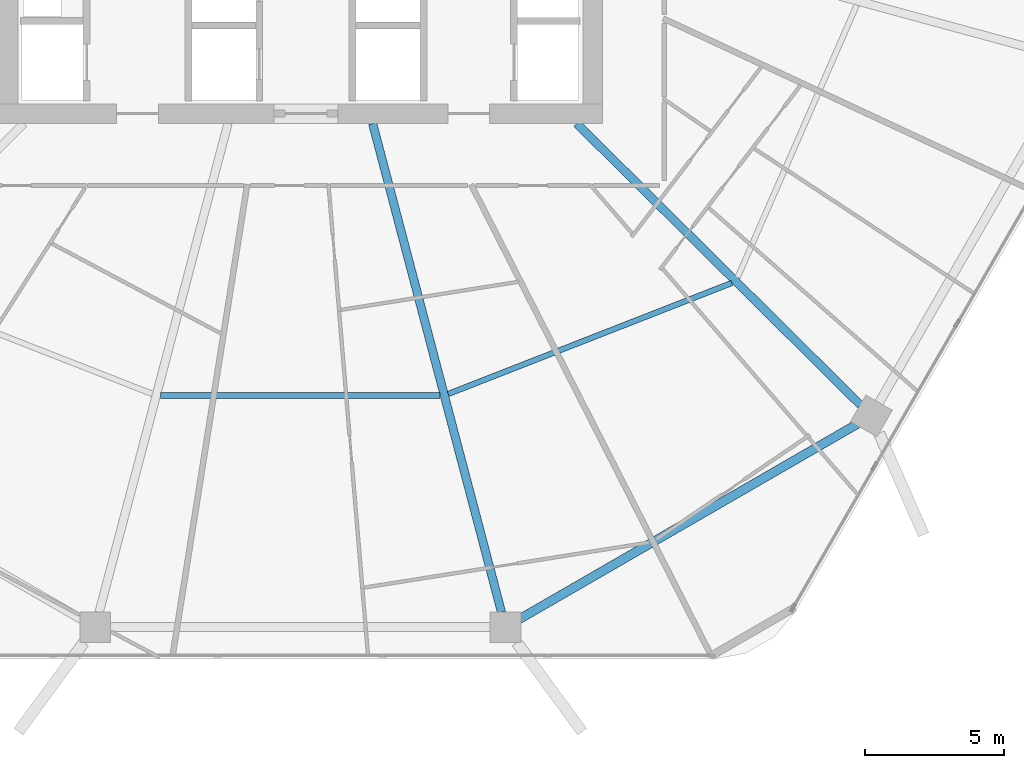
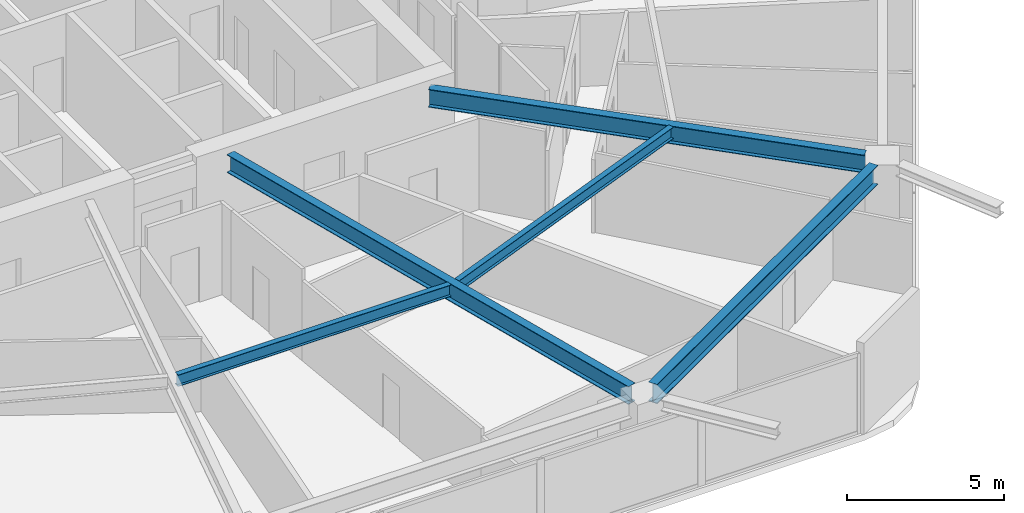
# One storey, part 7 of 29: 5 beams.
"""IFC4 building model written with IfcOpenShell, lengths in metres."""

from ifc_helpers import new_model, si_unit, direction, frame, origin, origin_2d, place, context, subcontext, project, spatial, i_section, extrude, material, material_profile, profile_set, type_object, element, save


model = new_model("IFC4")

# Units and contexts
model_context = context("Model", 3, precision=1e-05, world=origin(), true_north=direction((0.0, 1.0)))
body_context = subcontext(model_context, "Body", "Model", "MODEL_VIEW")
ifc_project = project(units=[si_unit("LENGTHUNIT", "METRE"), si_unit("AREAUNIT", "SQUARE_METRE"), si_unit("VOLUMEUNIT", "CUBIC_METRE"), si_unit("PLANEANGLEUNIT", "RADIAN"), si_unit("MASSUNIT", "GRAM", prefix="KILO")], contexts=[model_context])

# Site, building, storey
site_placement = place(None, origin())
site = spatial("IfcSite", under=ifc_project, at=site_placement, CompositionType="ELEMENT")
building_placement = place(site_placement, origin())
building = spatial("IfcBuilding", under=site, at=building_placement, Name="Zuhravey Tower", CompositionType="ELEMENT")
storey_placement = place(building_placement, frame((0.0, 0.0, 134.199951171875)))
storey = spatial("IfcBuildingStorey", under=building, at=storey_placement, Name="L33", CompositionType="ELEMENT", Elevation=134.199951171875)

# Beams
ifc_material = material(Name="Steel SM355", Category="steel")
ifc_material_profile_1 = material_profile(ifc_material, i_section(OverallWidth=0.320068359375, OverallDepth=0.75, WebThickness=0.013916015625, FlangeThickness=0.02490234375, at=origin_2d()), Name="H-750x320x14x25")
ifc_profile_set_1 = profile_set([ifc_material_profile_1], Name="Steel SM355")
beam_type_1 = type_object("IfcBeamType", Name="Perimeter Ring Beam H750x320", PredefinedType="BEAM", material=ifc_profile_set_1)
beam_1_placement = place(storey_placement, frame((43.848876953125, 4.327880859375, 3.175048828125), z_axis=(0.866017786538, 0.500013193225, 0.0), x_axis=(-0.500013193225, 0.866017786538, 0.0)))
element("IfcBeam", 1, at=beam_1_placement, inside=storey, type_object=beam_type_1, Name="L33 PB1 BM-L33-PB-10", PredefinedType="BEAM", context=body_context, shape_type="SweptSolid", body=[
    extrude(i_section(OverallWidth=0.320068359375, OverallDepth=0.75, WebThickness=0.013916015625, FlangeThickness=0.02490234375, at=origin_2d()), origin(), (0.0, 0.0, 1.0), 14.0771484375),
])
ifc_material_profile_2 = material_profile(ifc_material, i_section(OverallWidth=0.300048828125, OverallDepth=0.699951171875, WebThickness=0.012939453125, FlangeThickness=0.02392578125, at=origin_2d()), Name="H-700x300x13x24")
ifc_profile_set_2 = profile_set([ifc_material_profile_2], Name="Steel SM355")
beam_type_2 = type_object("IfcBeamType", Name="Radial Primary Girder H700x300", PredefinedType="BEAM", material=ifc_profile_set_2)
beam_2_placement = place(storey_placement, frame((38.59814453125, 22.14697265625, 3.199951171875), z_axis=(0.25498755891, -0.966944333869, 0.0), x_axis=(0.966944333869, 0.25498755891, 0.0)))
element("IfcBeam", 2, at=beam_2_placement, inside=storey, type_object=beam_type_2, Name="L33 RG1 BM-L33-RAD-10", PredefinedType="BEAM", context=body_context, shape_type="SweptSolid", body=[
    extrude(i_section(OverallWidth=0.300048828125, OverallDepth=0.699951171875, WebThickness=0.012939453125, FlangeThickness=0.02392578125, at=origin_2d()), origin(), (0.0, 0.0, 1.0), 18.1611328125),
])
beam_3_placement = place(storey_placement, frame((45.931396484375, 22.14697265625, 3.199951171875), z_axis=(0.709906230344, -0.704296204816, 0.0), x_axis=(0.704296204816, 0.709906230344, 0.0)))
element("IfcBeam", 3, at=beam_3_placement, inside=storey, type_object=beam_type_2, Name="L33 RG1 BM-L33-RAD-11", PredefinedType="BEAM", context=body_context, shape_type="SweptSolid", body=[
    extrude(i_section(OverallWidth=0.300048828125, OverallDepth=0.699951171875, WebThickness=0.012939453125, FlangeThickness=0.02392578125, at=origin_2d()), origin(), (0.0, 0.0, 1.0), 14.361083984375),
])
ifc_material_profile_3 = material_profile(ifc_material, i_section(OverallWidth=0.199951171875, OverallDepth=0.449951171875, WebThickness=0.009033203125, FlangeThickness=0.013916015625, at=origin_2d()), Name="H-450x200x9x14")
ifc_profile_set_3 = profile_set([ifc_material_profile_3], Name="Steel SM355")
beam_type_3 = type_object("IfcBeamType", Name="Secondary Floor Joist H450x200", PredefinedType="JOIST", material=ifc_profile_set_3)
beam_4_placement = place(storey_placement, frame((30.97900390625, 12.37548828125, 3.324951171875), z_axis=(1.0, 0.0, 0.0), x_axis=(0.0, 1.0, 0.0)))
element("IfcBeam", 4, at=beam_4_placement, inside=storey, type_object=beam_type_3, Name="L33 SJ1 BM-L33-SJ-09-1", PredefinedType="JOIST", context=body_context, shape_type="SweptSolid", body=[
    extrude(i_section(OverallWidth=0.199951171875, OverallDepth=0.449951171875, WebThickness=0.009033203125, FlangeThickness=0.013916015625, at=origin_2d()), origin(), (0.0, 0.0, 1.0), 10.0419921875),
])
beam_5_placement = place(storey_placement, frame((41.318359375, 12.431640625, 3.324951171875), z_axis=(0.931216764731, 0.364465824302, 0.0), x_axis=(-0.364465824302, 0.931216764731, 0.0)))
element("IfcBeam", 5, at=beam_5_placement, inside=storey, type_object=beam_type_3, Name="L33 SJ1 BM-L33-SJ-10-1", PredefinedType="JOIST", context=body_context, shape_type="SweptSolid", body=[
    extrude(i_section(OverallWidth=0.199951171875, OverallDepth=0.449951171875, WebThickness=0.009033203125, FlangeThickness=0.013916015625, at=origin_2d()), origin(), (0.0, 0.0, 1.0), 10.939453125),
])

save(model, "model.ifc")
